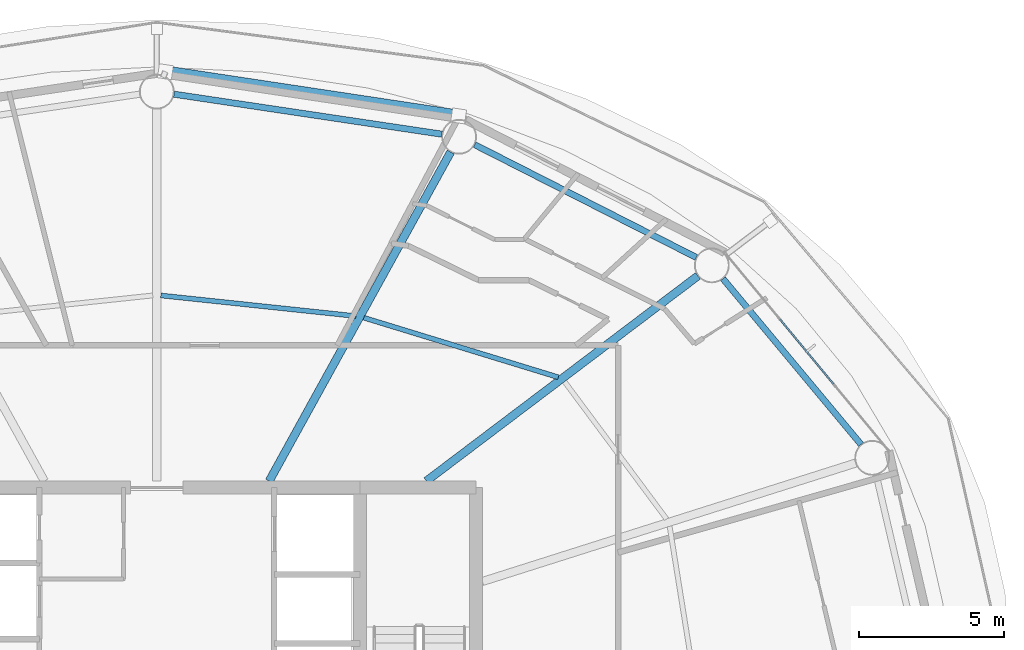
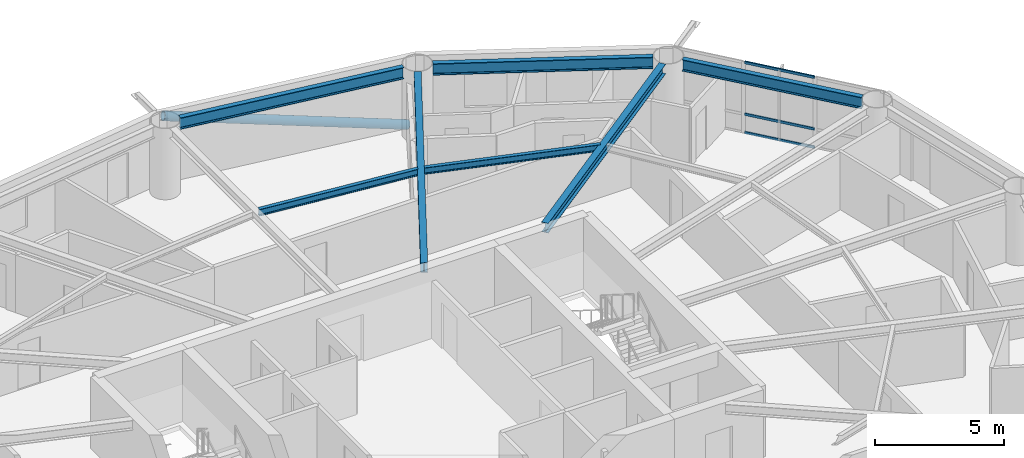
# One storey, part 14 of 28: 7 beams, 4 members, 1 element without a shape of its own.
"""IFC4 building model written with IfcOpenShell, lengths in metres."""

from ifc_helpers import new_model, si_unit, direction, frame, origin, origin_2d, place, context, subcontext, project, spatial, hollow_rectangle, hollow_circle, i_section, extrude, material, layer, layer_set, material_profile, profile_set, type_object, element, aggregate, save


model = new_model("IFC4")

# Units and contexts
model_context = context("Model", 3, precision=1e-05, world=origin(), true_north=direction((0.0, 1.0)))
body_context = subcontext(model_context, "Body", "Model", "MODEL_VIEW")
ifc_project = project(units=[si_unit("LENGTHUNIT", "METRE"), si_unit("AREAUNIT", "SQUARE_METRE"), si_unit("VOLUMEUNIT", "CUBIC_METRE"), si_unit("PLANEANGLEUNIT", "RADIAN"), si_unit("MASSUNIT", "GRAM", prefix="KILO")], contexts=[model_context])

# Site, building, storey
site_placement = place(None, origin())
site = spatial("IfcSite", under=ifc_project, at=site_placement, CompositionType="ELEMENT")
building_placement = place(site_placement, origin())
building = spatial("IfcBuilding", under=site, at=building_placement, Name="Sarneth Arch Tower", CompositionType="ELEMENT")
storey_placement = place(building_placement, frame((0.0, 0.0, 183.0)))
storey = spatial("IfcBuildingStorey", under=building, at=storey_placement, Name="L46", CompositionType="ELEMENT", Elevation=183.0)

# Beams
ifc_material_1 = material(Name="Steel S355", Category="steel")
ifc_material_profile_1 = material_profile(ifc_material_1, i_section(OverallWidth=0.1669921875, OverallDepth=0.31689453125, WebThickness=0.007568359375, FlangeThickness=0.01318359375, FilletRadius=0.012939453125, at=origin_2d()), Name="W310x52")
ifc_profile_set_1 = profile_set([ifc_material_profile_1], Name="Steel S355")
beam_type_1 = type_object("IfcBeamType", Name="BM-JOIST-310B", PredefinedType="JOIST", material=ifc_profile_set_1)
beam_1_placement = place(storey_placement, frame((61.84130859375, 52.602783203125, 3.221435546875), z_axis=(-0.956178669891, 0.292783796076, 0.0), x_axis=(-0.292783796076, -0.956178669891, 0.0)))
element("IfcBeam", 1, at=beam_1_placement, inside=storey, type_object=beam_type_1, Name="L46 Secondary floor joist 03", PredefinedType="JOIST", context=body_context, shape_type="SweptSolid", body=[
    extrude(i_section(OverallWidth=0.1669921875, OverallDepth=0.31689453125, WebThickness=0.007568359375, FlangeThickness=0.01318359375, FilletRadius=0.012939453125, at=origin_2d()), origin(), (0.0, 0.0, 1.0), 7.010986328125),
])
beam_2_placement = place(storey_placement, frame((54.8642578125, 54.711181640625, 3.221435546875), z_axis=(-0.994447340543, 0.105235387994, 0.0), x_axis=(-0.105235387994, -0.994447340543, 0.0)))
element("IfcBeam", 2, at=beam_2_placement, inside=storey, type_object=beam_type_1, Name="L46 Secondary floor joist 04", PredefinedType="JOIST", context=body_context, shape_type="SweptSolid", body=[
    extrude(i_section(OverallWidth=0.1669921875, OverallDepth=0.31689453125, WebThickness=0.007568359375, FlangeThickness=0.01318359375, FilletRadius=0.012939453125, at=origin_2d()), origin(), (0.0, 0.0, 1.0), 6.7626953125),
])
ifc_material_2 = material(Name="Steel S355", Category="steel")
ifc_material_profile_2 = material_profile(ifc_material_2, i_section(OverallWidth=0.280029296875, OverallDepth=0.462890625, WebThickness=0.0107421875, FlangeThickness=0.017333984375, FilletRadius=0.01806640625, at=origin_2d()), Name="W460x113")
ifc_profile_set_2 = profile_set([ifc_material_profile_2], Name="Steel S355")
beam_type_2 = type_object("IfcBeamType", Name="BM-RAD-460A", PredefinedType="BEAM", material=ifc_profile_set_2)
beam_3_placement = place(storey_placement, frame((57.29541015625, 49.02490234375, 3.1484375), z_axis=(0.797784574467, 0.602942594898, 0.0), x_axis=(-0.602942594898, 0.797784574467, 0.0)))
element("IfcBeam", 3, at=beam_3_placement, inside=storey, type_object=beam_type_2, Name="L46 Radial floor girder 03", PredefinedType="BEAM", context=body_context, shape_type="SweptSolid", body=[
    extrude(i_section(OverallWidth=0.280029296875, OverallDepth=0.462890625, WebThickness=0.0107421875, FlangeThickness=0.017333984375, FilletRadius=0.01806640625, at=origin_2d()), origin(), (0.0, 0.0, 1.0), 11.73193359375),
])
beam_4_placement = place(storey_placement, frame((51.875, 49.02490234375, 3.1484375), z_axis=(0.483010082599, 0.875614789795, 0.0), x_axis=(-0.875614789795, 0.483010082599, 0.0)))
element("IfcBeam", 4, at=beam_4_placement, inside=storey, type_object=beam_type_2, Name="L46 Radial floor girder 04", PredefinedType="BEAM", context=body_context, shape_type="SweptSolid", body=[
    extrude(i_section(OverallWidth=0.280029296875, OverallDepth=0.462890625, WebThickness=0.0107421875, FlangeThickness=0.017333984375, FilletRadius=0.01806640625, at=origin_2d()), origin(), (0.0, 0.0, 1.0), 12.954345703125),
])
ifc_material_3 = material(Name="Steel S355", Category="steel")
ifc_material_profile_3 = material_profile(ifc_material_3, i_section(OverallWidth=0.214111328125, OverallDepth=0.549072265625, WebThickness=0.0146484375, FlangeThickness=0.023681640625, FilletRadius=0.01806640625, at=origin_2d()), Name="W530x138")
ifc_profile_set_3 = profile_set([ifc_material_profile_3], Name="Steel S355")
beam_type_3 = type_object("IfcBeamType", Name="BM-RAD-530A", PredefinedType="BEAM", material=ifc_profile_set_3)
beam_5_placement = place(storey_placement, frame((72.278076171875, 50.286865234375, 3.10546875), z_axis=(-0.640161793626, 0.768240117399, 0.0), x_axis=(-0.768240117399, -0.640161793626, 0.0)))
element("IfcBeam", 5, at=beam_5_placement, inside=storey, type_object=beam_type_3, Name="L46 Perimeter spandrel beam 02", PredefinedType="BEAM", context=body_context, shape_type="SweptSolid", body=[
    extrude(i_section(OverallWidth=0.214111328125, OverallDepth=0.549072265625, WebThickness=0.0146484375, FlangeThickness=0.023681640625, FilletRadius=0.01806640625, at=origin_2d()), origin(), (0.0, 0.0, 1.0), 7.43603515625),
])
beam_6_placement = place(storey_placement, frame((66.59912109375, 56.732421875, 3.10546875), z_axis=(-0.891250372735, 0.453511601945, 0.0), x_axis=(-0.453511601945, -0.891250372735, 0.0)))
element("IfcBeam", 6, at=beam_6_placement, inside=storey, type_object=beam_type_3, Name="L46 Perimeter spandrel beam 03", PredefinedType="BEAM", context=body_context, shape_type="SweptSolid", body=[
    extrude(i_section(OverallWidth=0.214111328125, OverallDepth=0.549072265625, WebThickness=0.0146484375, FlangeThickness=0.023681640625, FilletRadius=0.01806640625, at=origin_2d()), origin(), (0.0, 0.0, 1.0), 8.5751953125),
])
beam_7_placement = place(storey_placement, frame((57.828369140625, 60.98193359375, 3.10546875), z_axis=(-0.98902783755, 0.147729267756, 0.0), x_axis=(-0.147729267756, -0.98902783755, 0.0)))
element("IfcBeam", 7, at=beam_7_placement, inside=storey, type_object=beam_type_3, Name="L46 Perimeter spandrel beam 04", PredefinedType="BEAM", context=body_context, shape_type="SweptSolid", body=[
    extrude(i_section(OverallWidth=0.214111328125, OverallDepth=0.549072265625, WebThickness=0.0146484375, FlangeThickness=0.023681640625, FilletRadius=0.01806640625, at=origin_2d()), origin(), (0.0, 0.0, 1.0), 9.33740234375),
])

# Curtain wall, members
ifc_material_4 = material(Name="Anodised aluminium Type AA25 and solar-control low-e laminated IGU", Category="aluminium")
ifc_layer = layer(ifc_material_4, 0.169921875)
ifc_layer_set = layer_set([ifc_layer], Name="Anodised aluminium Type AA25 and solar-control low-e laminated IGU")
curtain_wall_type = type_object("IfcCurtainWallType", Name="CW-RES-MID", PredefinedType="NOTDEFINED", material=ifc_layer_set)
curtain_wall_placement = place(storey_placement, origin())
curtain_wall = element("IfcCurtainWall", 8, at=curtain_wall_placement, inside=storey, type_object=curtain_wall_type, Name="L46 Unitised curtain wall facet 02", PredefinedType="NOTDEFINED")
ifc_material_5 = material(Name="Anodised Aluminium 6063-T6", Category="aluminium")
ifc_material_profile_4 = material_profile(ifc_material_5, hollow_rectangle(XDim=0.06005859375, YDim=0.1201171875, WallThickness=0.00390625, at=origin_2d()), Name="AL-TRAN-120x60x4")
ifc_profile_set_4 = profile_set([ifc_material_profile_4], Name="Anodised Aluminium 6063-T6")
member_type_1 = type_object("IfcMemberType", Name="CW-TRANSOM", PredefinedType="USERDEFINED", material=ifc_profile_set_4)
member_1_placement = place(storey_placement, frame((71.327880859375, 52.36962890625, 0.030029296875), z_axis=(-0.637329777791, 0.770591171985, 0.0), x_axis=(-0.770591171985, -0.637329777791, 0.0)))
member_1 = element("IfcMember", 9, at=member_1_placement, type_object=member_type_1, Name="CW-SYS-5 transom 2.1", ObjectType="TRANSOM", PredefinedType="USERDEFINED", context=body_context, shape_type="SweptSolid", body=[
    extrude(hollow_rectangle(XDim=0.06005859375, YDim=0.1201171875, WallThickness=0.00390625, at=origin_2d()), origin(), (0.0, 0.0, 1.0), 2.898193359375),
])
member_2_placement = place(storey_placement, frame((71.327880859375, 52.36962890625, 0.89990234375), z_axis=(-0.637329777791, 0.770591171985, 0.0), x_axis=(-0.770591171985, -0.637329777791, 0.0)))
member_2 = element("IfcMember", 10, at=member_2_placement, type_object=member_type_1, Name="CW-SYS-5 transom 2.2", ObjectType="TRANSOM", PredefinedType="USERDEFINED", context=body_context, shape_type="SweptSolid", body=[
    extrude(hollow_rectangle(XDim=0.06005859375, YDim=0.1201171875, WallThickness=0.00390625, at=origin_2d()), origin(), (0.0, 0.0, 1.0), 2.898193359375),
])
member_3_placement = place(storey_placement, frame((71.327880859375, 52.36962890625, 3.35009765625), z_axis=(-0.637329777791, 0.770591171985, 0.0), x_axis=(-0.770591171985, -0.637329777791, 0.0)))
member_3 = element("IfcMember", 11, at=member_3_placement, type_object=member_type_1, Name="CW-SYS-5 transom 2.3", ObjectType="TRANSOM", PredefinedType="USERDEFINED", context=body_context, shape_type="SweptSolid", body=[
    extrude(hollow_rectangle(XDim=0.06005859375, YDim=0.1201171875, WallThickness=0.00390625, at=origin_2d()), origin(), (0.0, 0.0, 1.0), 2.898193359375),
])
aggregate(curtain_wall, [member_1, member_2, member_3])

# Member
ifc_material_6 = material(Name="Steel S355", Category="steel")
ifc_material_profile_5 = material_profile(ifc_material_6, hollow_circle(Radius=0.202880859375, WallThickness=0.01611328125, at=origin_2d()), Name="CHS406x16")
ifc_profile_set_5 = profile_set([ifc_material_profile_5], Name="Steel S355")
member_type_2 = type_object("IfcMemberType", Name="MEM-DIAG-BR2", PredefinedType="BRACE", material=ifc_profile_set_5)
member_4_placement = place(storey_placement, frame((58.404296875, 61.612548828125, 0.02001953125), z_axis=(-0.948052912183, 0.142822782379, 0.284248708942), x_axis=(-0.148967610144, -0.988842075929, 0.0)))
element("IfcMember", 12, at=member_4_placement, inside=storey, type_object=member_type_2, Name="L46 Perimeter frame diagonal 04", PredefinedType="BRACE", context=body_context, shape_type="SweptSolid", body=[
    extrude(hollow_circle(Radius=0.202880859375, WallThickness=0.01611328125, at=origin_2d()), origin(), (0.0, 0.0, 1.0), 10.66162109375),
])

save(model, "model.ifc")
